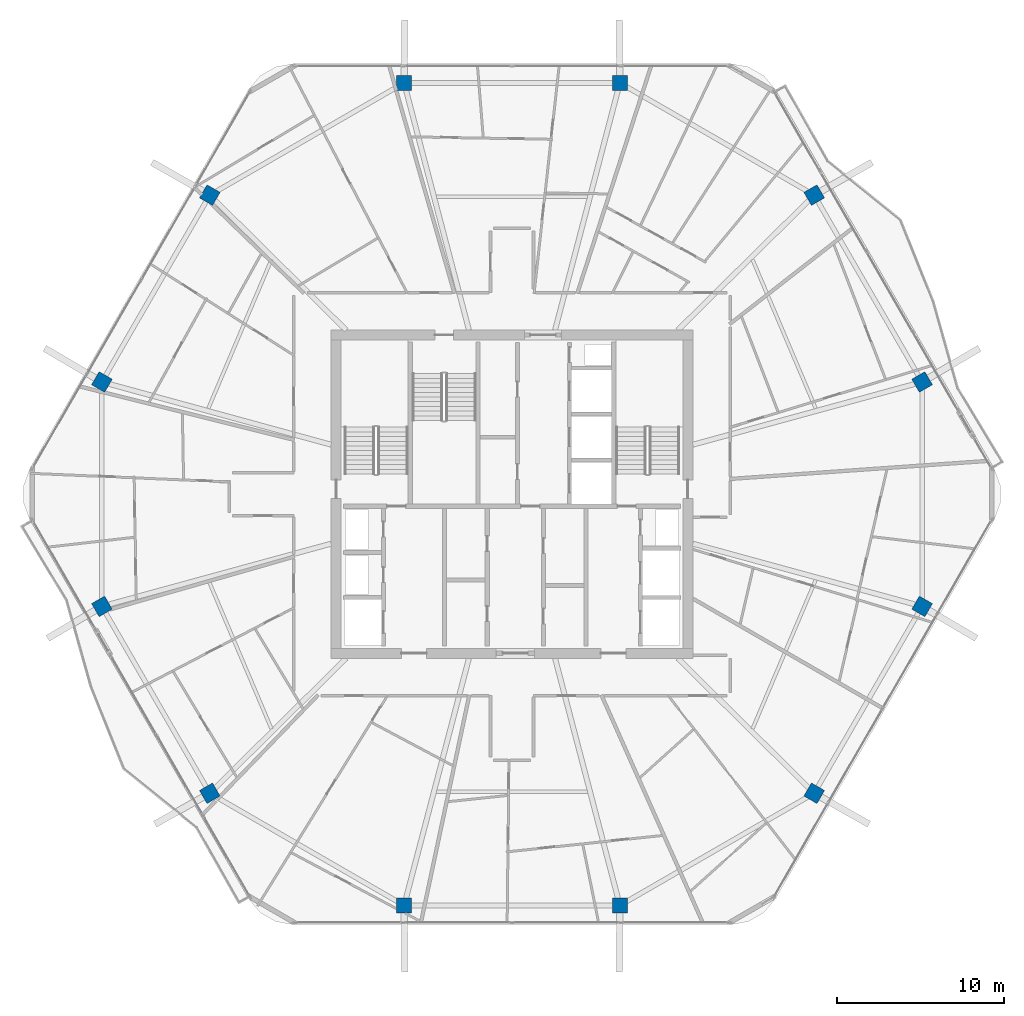
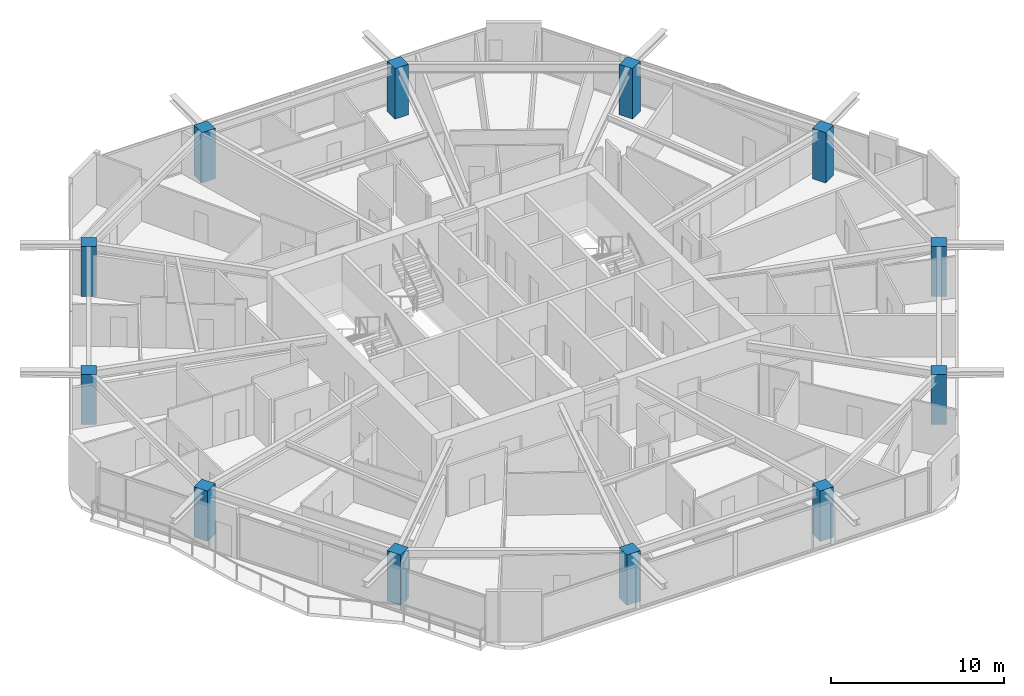
# One storey, part 1 of 26: 12 columns.
"""IFC4 building model written with IfcOpenShell, lengths in metres."""

import ifcopenshell
import ifcopenshell.guid

model = None  # the IFC model being written
_history = None  # IfcOwnerHistory: only IFC2X3 demands one
_inside = {}  # id of a spatial element -> (the spatial element, [elements in it])
_under = {}  # id of a project, library or spatial element -> (it, [spatial elements below it])
_declared = {}  # id of a project -> (the project, [libraries it declares])
_typed = {}  # id of a type object -> (the type object, [elements of that type])
_made_of = {}  # id of a material, layer set ... -> (it, [elements and type objects made of it])


def new_model(schema):
    """Start an empty IFC model of exactly this schema.

    Asked for "IFC4X3", IfcOpenShell would pick the latest addendum, in which some entities
    have other attributes; the version numbers below select the first issue.
    IFC2X3 requires an IfcOwnerHistory on every rooted entity: one is made here for all.
    """
    global model, _history
    if schema == "IFC4X3":
        model = ifcopenshell.file(schema_version=(4, 3, 0, 0))
    else:
        model = ifcopenshell.file(schema=schema)
    _inside.clear()
    _under.clear()
    _declared.clear()
    _typed.clear()
    _made_of.clear()
    _history = None
    if model.schema == "IFC2X3":
        org = make("IfcOrganization", Name="unknown")
        user = make(
            "IfcPersonAndOrganization",
            ThePerson=make("IfcPerson", FamilyName="unknown"),
            TheOrganization=org,
        )
        app = make(
            "IfcApplication",
            ApplicationDeveloper=org,
            Version="unknown",
            ApplicationFullName="unknown",
            ApplicationIdentifier="unknown",
        )
        _history = make(
            "IfcOwnerHistory",
            OwningUser=user,
            OwningApplication=app,
            ChangeAction="ADDED",
            CreationDate=0,
        )
    return model


def make(cls, **values):
    """One entity of the class cls with the attributes given. An attribute that is None is left unset."""
    return model.create_entity(
        cls, **{name: value for name, value in values.items() if value is not None}
    )


def rooted(cls, **values):
    """An entity with a GlobalId (a new one), such as an element, a storey or a relation."""
    return make(cls, GlobalId=ifcopenshell.guid.new(), OwnerHistory=_history, **values)


def si_unit(unit_type, name, prefix=None):
    """IfcSIUnit, for example si_unit("LENGTHUNIT", "METRE", prefix="MILLI")."""
    return make("IfcSIUnit", UnitType=unit_type, Prefix=prefix, Name=name)


def assignment(units):
    """IfcUnitAssignment: the units of a project."""
    return None if units is None else make("IfcUnitAssignment", Units=units)


def point(xyz):
    """IfcCartesianPoint."""
    return None if xyz is None else make("IfcCartesianPoint", Coordinates=xyz)


def direction(xyz):
    """IfcDirection."""
    return None if xyz is None else make("IfcDirection", DirectionRatios=xyz)


def frame(location, z_axis=None, x_axis=None):
    """IfcAxis2Placement3D, a coordinate frame: its origin and axes. An axis left out is left unset."""
    return make(
        "IfcAxis2Placement3D",
        Location=point(location),
        Axis=direction(z_axis),
        RefDirection=direction(x_axis),
    )


def frame_2d(location, x_axis=None):
    """IfcAxis2Placement2D, a coordinate frame in the plane: its origin and x axis."""
    return make(
        "IfcAxis2Placement2D", Location=point(location), RefDirection=direction(x_axis)
    )


def origin():
    """The frame at (0, 0, 0) with its axes left unset."""
    return frame((0.0, 0.0, 0.0))


def origin_2d():
    """The frame at (0, 0) in the plane with its x axis left unset."""
    return frame_2d((0.0, 0.0))


def place(relative_to, where):
    """IfcLocalPlacement: puts the frame where relative to a parent placement (None: the world)."""
    return make(
        "IfcLocalPlacement", PlacementRelTo=relative_to, RelativePlacement=where
    )


def context(
    kind, dimensions, precision=None, world=None, true_north=None, identifier=None
):
    """IfcGeometricRepresentationContext, for example the 3D "Model" context."""
    return make(
        "IfcGeometricRepresentationContext",
        ContextIdentifier=identifier,
        ContextType=kind,
        CoordinateSpaceDimension=dimensions,
        Precision=precision,
        WorldCoordinateSystem=world,
        TrueNorth=true_north,
    )


def subcontext(parent, identifier, kind, view, scale=None):
    """IfcGeometricRepresentationSubContext, for example "Body" below "Model"."""
    return make(
        "IfcGeometricRepresentationSubContext",
        ContextIdentifier=identifier,
        ContextType=kind,
        ParentContext=parent,
        TargetScale=scale,
        TargetView=view,
    )


def project(units=None, contexts=None):
    """IfcProject with its units and contexts."""
    return rooted(
        "IfcProject",
        Name="project",
        RepresentationContexts=contexts,
        UnitsInContext=assignment(units),
    )


def spatial(cls, under=None, at=None, **own):
    """A site, building, storey or space (cls), placed at a placement, below another one or the project."""
    s = rooted(cls, ObjectPlacement=at, **own)
    if under is not None:
        _under.setdefault(under.id(), (under, []))[1].append(s)
    return s


def profile(cls, at=None, kind="AREA", **sizes):
    """A parametric profile (cls). Its sizes go by their IFC names, for example OverallWidth=200.0."""
    return make(cls, ProfileType=kind, Position=at, **sizes)


def rectangle(**sizes):
    """IfcRectangleProfileDef."""
    return profile("IfcRectangleProfileDef", **sizes)


def extrude(swept, where, along, depth):
    """IfcExtrudedAreaSolid: the profile swept, set in the frame where, extruded along a direction by depth."""
    return make(
        "IfcExtrudedAreaSolid",
        SweptArea=swept,
        Position=where,
        ExtrudedDirection=direction(along),
        Depth=depth,
    )


def shape(context_of_items, identifier, shape_type, items):
    """IfcShapeRepresentation: the items that make up one representation, for example the "Body"."""
    return make(
        "IfcShapeRepresentation",
        ContextOfItems=context_of_items,
        RepresentationIdentifier=identifier,
        RepresentationType=shape_type,
        Items=items,
    )


def material(Name=None, Category=None):
    """IfcMaterial."""
    return make("IfcMaterial", Name=Name, Category=Category)


def material_profile(
    of_material, cross_section, Name=None, Category=None, Priority=None
):
    """IfcMaterialProfile: a cross section and its material."""
    return make(
        "IfcMaterialProfile",
        Name=Name,
        Material=of_material,
        Profile=cross_section,
        Priority=Priority,
        Category=Category,
    )


def profile_set(profiles, Name=None, composite=None):
    """IfcMaterialProfileSet."""
    return make(
        "IfcMaterialProfileSet",
        Name=Name,
        MaterialProfiles=profiles,
        CompositeProfile=composite,
    )


def made_of(thing, what):
    """Note that an element or type object is made of a material, layer set ...; save() writes the relation."""
    if what is not None:
        _made_of.setdefault(what.id(), (what, []))[1].append(thing)
    return thing


def type_object(cls, material=None, **own):
    """A type object (cls), such as IfcWallType, which elements share."""
    return made_of(rooted(cls, **own), material)


def element(
    cls,
    number,
    at=None,
    inside=None,
    cuts=None,
    type_object=None,
    material=None,
    context=None,
    identifier="Body",
    shape_type=None,
    held_by="IfcProductDefinitionShape",
    body=None,
    shapes=None,
    **own,
):
    """One element of the class cls, such as IfcWall. Its Tag is "e" and its number.

    at: its placement. inside: the storey or other place that contains it. cuts: it is an
    opening in that element (IfcRelVoidsElement). A single representation is given by context,
    identifier, shape_type and body (its items); several are given by shapes. held_by: the class
    of the entity that holds the representations. save() writes the other relations.
    """
    e = rooted(cls, Tag="e%d" % number, ObjectPlacement=at, **own)
    if body is not None:
        shapes = [shape(context, identifier, shape_type, body)]
    if shapes is not None:
        e.Representation = make(held_by, Representations=shapes)
    if inside is not None:
        _inside.setdefault(inside.id(), (inside, []))[1].append(e)
    if cuts is not None:
        rooted(
            "IfcRelVoidsElement", RelatingBuildingElement=cuts, RelatedOpeningElement=e
        )
    if type_object is not None:
        _typed.setdefault(type_object.id(), (type_object, []))[1].append(e)
    return made_of(e, material)


def aggregate(whole, parts):
    """IfcRelAggregates: a whole, such as a stair, and the parts it consists of."""
    return rooted("IfcRelAggregates", RelatingObject=whole, RelatedObjects=parts)


def save(model, path):
    """Write the relations noted so far, then the file.

    IfcRelAggregates (storeys below a building ...), IfcRelContainedInSpatialStructure (elements
    in a storey), IfcRelDefinesByType, IfcRelAssociatesMaterial and IfcRelDeclares: one each for
    every whole, place, type object, material and project.
    """
    for whole, parts in _under.values():
        aggregate(whole, parts)
    for where, things in _inside.values():
        rooted(
            "IfcRelContainedInSpatialStructure",
            RelatedElements=things,
            RelatingStructure=where,
        )
    for kind, things in _typed.values():
        rooted("IfcRelDefinesByType", RelatedObjects=things, RelatingType=kind)
    for what, things in _made_of.values():
        rooted("IfcRelAssociatesMaterial", RelatedObjects=things, RelatingMaterial=what)
    for by, libraries in _declared.values():
        rooted("IfcRelDeclares", RelatingContext=by, RelatedDefinitions=libraries)
    model.write(path)


model = new_model("IFC4")

# Units and contexts
model_context = context("Model", 3, precision=1e-05, world=origin(), true_north=direction((0.0, 1.0)))
body_context = subcontext(model_context, "Body", "Model", "MODEL_VIEW")
ifc_project = project(units=[si_unit("LENGTHUNIT", "METRE"), si_unit("AREAUNIT", "SQUARE_METRE"), si_unit("VOLUMEUNIT", "CUBIC_METRE"), si_unit("PLANEANGLEUNIT", "RADIAN"), si_unit("MASSUNIT", "GRAM", prefix="KILO")], contexts=[model_context])

# Site, building, storey
site_placement = place(None, origin())
site = spatial("IfcSite", under=ifc_project, at=site_placement, CompositionType="ELEMENT")
building_placement = place(site_placement, origin())
building = spatial("IfcBuilding", under=site, at=building_placement, Name="Zuhravey Tower", CompositionType="ELEMENT")
storey_placement = place(building_placement, frame((0.0, 0.0, 250.199951171875)))
storey = spatial("IfcBuildingStorey", under=building, at=storey_placement, Name="L63", CompositionType="ELEMENT", Elevation=250.199951171875)

# Columns
ifc_material = material(Name="Concrete C50/60", Category="concrete")
ifc_material_profile = material_profile(ifc_material, rectangle(XDim=0.89990234375, YDim=0.89990234375, at=origin_2d()), Name="RC-900x900")
ifc_profile_set = profile_set([ifc_material_profile], Name="Concrete C50/60")
column_type = type_object("IfcColumnType", Name="Zone 3 Perimeter Column 900x900", PredefinedType="COLUMN", material=ifc_profile_set)
for number, where, z_axis, x_axis, name in (
    (1, (60.484619140625, 38.698974609375, 0.0), (0.0, 0.0, 1.0), (-0.5, 0.866025403784, 0.0), "L63 Perimeter Column PC01"),
    (2, (54.043701171875, 49.854736328125, 0.0), (0.0, 0.0, 1.0), (-0.5, 0.866025403784, 0.0), "L63 Perimeter Column PC02"),
    (3, (42.44091796875, 56.5537109375, 0.0), (0.0, 0.0, 1.0), (-1.0, 0.0, 0.0), "L63 Perimeter Column PC03"),
    (4, (29.55908203125, 56.5537109375, 0.0), (0.0, 0.0, 1.0), (-1.0, 0.0, 0.0), "L63 Perimeter Column PC04"),
    (5, (17.956298828125, 49.854736328125, 0.0), (0.0, 0.0, 1.0), (-0.5, -0.866025403784, 0.0), "L63 Perimeter Column PC05"),
    (6, (11.515380859375, 38.698974609375, 0.0), (0.0, 0.0, 1.0), (-0.5, -0.866025403784, 0.0), "L63 Perimeter Column PC06"),
    (7, (11.515380859375, 25.301025390625, 0.0), (0.0, 0.0, 1.0), (0.5, -0.866025403784, 0.0), "L63 Perimeter Column PC07"),
    (8, (17.956298828125, 14.145263671875, 0.0), (0.0, 0.0, 1.0), (0.5, -0.866025403784, 0.0), "L63 Perimeter Column PC08"),
    (9, (29.55908203125, 7.4462890625, 0.0), (0.0, 0.0, 1.0), (1.0, 0.0, 0.0), "L63 Perimeter Column PC09"),
    (10, (42.44091796875, 7.4462890625, 0.0), (0.0, 0.0, 1.0), (1.0, 0.0, 0.0), "L63 Perimeter Column PC10"),
    (11, (54.043701171875, 14.145263671875, 0.0), (0.0, 0.0, 1.0), (0.5, 0.866025403784, 0.0), "L63 Perimeter Column PC11"),
    (12, (60.484619140625, 25.301025390625, 0.0), (0.0, 0.0, 1.0), (0.5, 0.866025403784, 0.0), "L63 Perimeter Column PC12"),
):
    element("IfcColumn", number, at=place(storey_placement, frame(where, z_axis=z_axis, x_axis=x_axis)), inside=storey, type_object=column_type, Name=name, PredefinedType="COLUMN", context=body_context, shape_type="SweptSolid", body=[
        extrude(rectangle(XDim=0.89990234375, YDim=0.89990234375, at=origin_2d()), origin(), (0.0, 0.0, 1.0), 3.550048828125),
    ])

save(model, "model.ifc")
